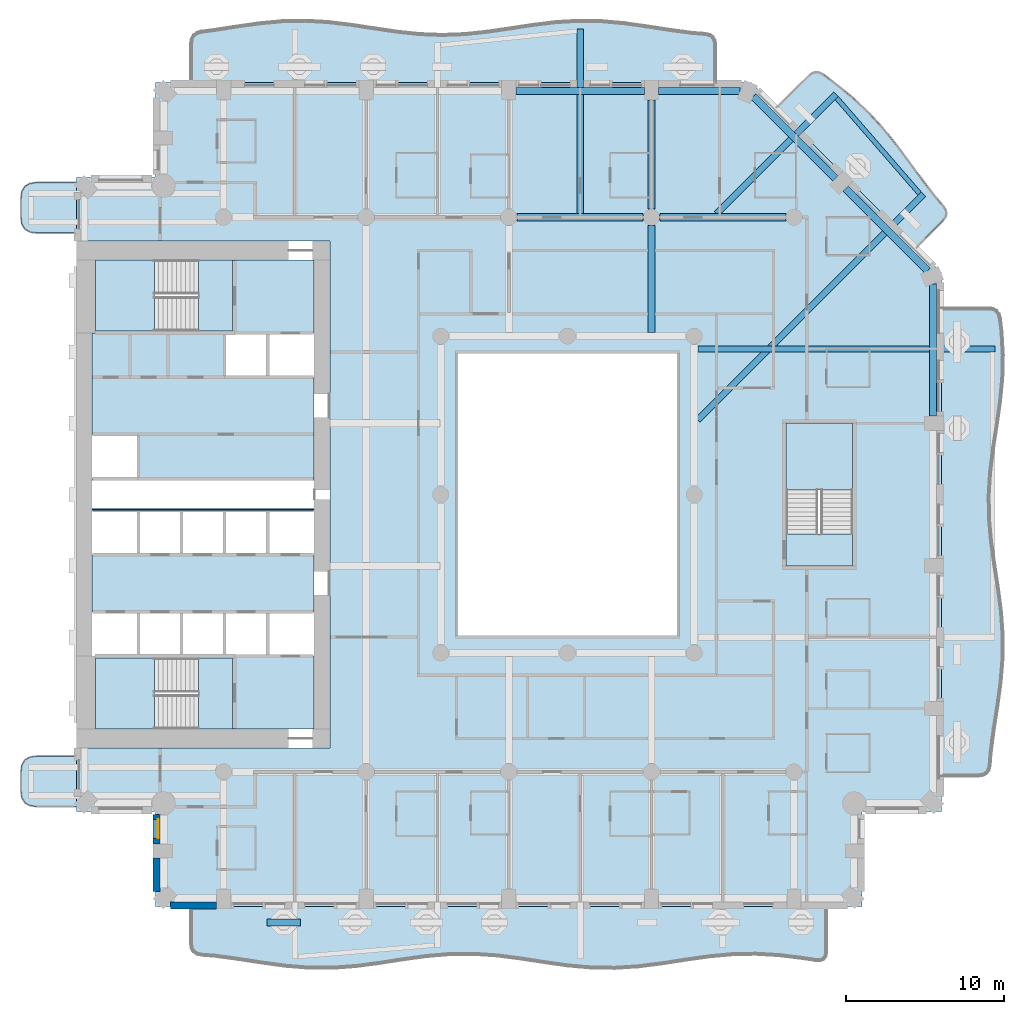
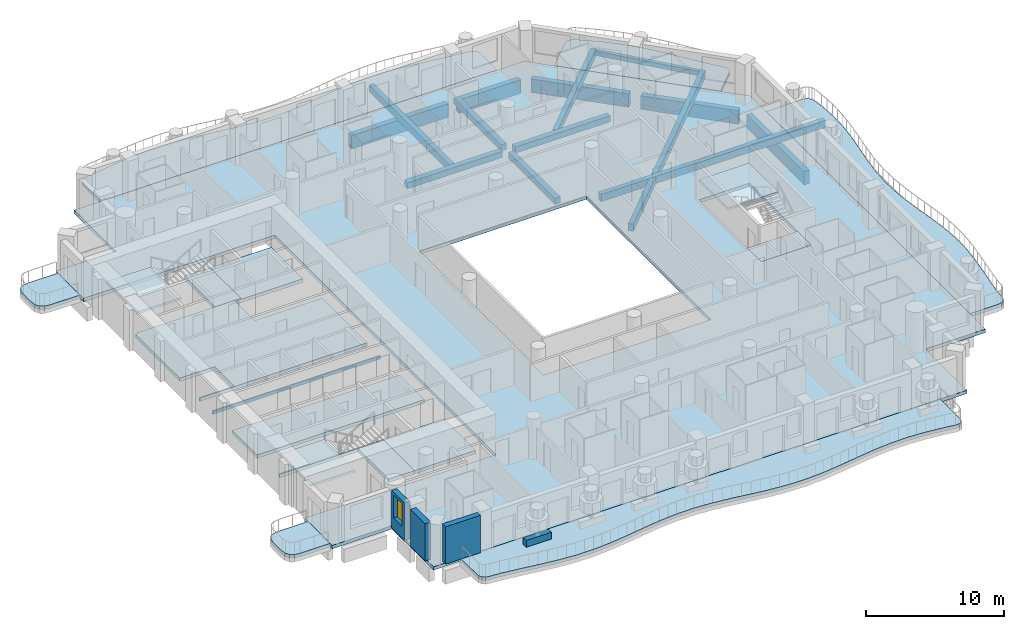
# One storey, part 2 of 20: 17 slabs, 14 beams, 4 walls, 1 window, 1 opening, 3 elements without a shape of their own.
"""IFC4 building model written with IfcOpenShell, lengths in metres."""

from ifc_helpers import new_model, si_unit, direction, frame, frame_2d, origin, origin_2d, place, context, subcontext, project, spatial, polyline, rectangle, outline, extrude, material, layer, layer_set, material_profile, profile_set, type_object, element, fill, aggregate, save


model = new_model("IFC4")

# Units and contexts
model_context = context("Model", 3, precision=1e-05, world=origin(), true_north=direction((0.0, 1.0)))
body_context = subcontext(model_context, "Body", "Model", "MODEL_VIEW")
ifc_project = project(units=[si_unit("LENGTHUNIT", "METRE"), si_unit("AREAUNIT", "SQUARE_METRE"), si_unit("VOLUMEUNIT", "CUBIC_METRE"), si_unit("PLANEANGLEUNIT", "RADIAN"), si_unit("MASSUNIT", "GRAM", prefix="KILO")], contexts=[model_context])

# Site, building, storey
site_placement = place(None, origin())
site = spatial("IfcSite", under=ifc_project, at=site_placement, CompositionType="ELEMENT")
building_placement = place(site_placement, origin())
building = spatial("IfcBuilding", under=site, at=building_placement, Name="Cypress Arch Tower", CompositionType="ELEMENT")
storey_placement = place(building_placement, frame((0.0, 0.0, 109.5)))
storey = spatial("IfcBuildingStorey", under=building, at=storey_placement, Name="L22", CompositionType="ELEMENT", Elevation=109.5)

# Beams
ifc_material_1 = material(Name="Concrete C50/60", Category="concrete")
ifc_material_profile_1 = material_profile(ifc_material_1, rectangle(XDim=0.300048828125, YDim=0.39990234375, at=origin_2d()), Name="RC 300x400")
ifc_profile_set_1 = profile_set([ifc_material_profile_1], Name="Concrete C50/60")
beam_type_1 = type_object("IfcBeamType", Name="Balcony edge beam RC 300x400 Concrete C50/60", PredefinedType="BEAM", material=ifc_profile_set_1)
beam_1_placement = place(storey_placement, frame((23.22216796875, 18.992919921875, -0.5), z_axis=(-0.655597619105, 0.755110430218, 0.0), x_axis=(-0.755110430218, -0.655597619105, 0.0)))
element("IfcBeam", 1, at=beam_1_placement, inside=storey, type_object=beam_type_1, Name="Balcony edge beam L22 A07", PredefinedType="BEAM", context=body_context, shape_type="SweptSolid", body=[
    extrude(rectangle(XDim=0.300048828125, YDim=0.39990234375, at=origin_2d()), origin(), (0.0, 0.0, 1.0), 7.980712890625),
])
ifc_material_2 = material(Name="Concrete C50/60", Category="concrete")
ifc_material_profile_2 = material_profile(ifc_material_2, rectangle(XDim=0.39990234375, YDim=0.64990234375, at=origin_2d()), Name="RC 400x650")
ifc_profile_set_2 = profile_set([ifc_material_profile_2], Name="Concrete C50/60")
beam_type_2 = type_object("IfcBeamType", Name="Cantilever beam RC 400x650 Concrete C50/60", PredefinedType="BEAM", material=ifc_profile_set_2)
beam_2_placement = place(storey_placement, frame((9.22509765625, 9.18798828125, -0.625), z_axis=(1.0, 0.0, 0.0), x_axis=(0.0, 1.0, 0.0)))
element("IfcBeam", 2, at=beam_2_placement, inside=storey, type_object=beam_type_2, Name="Cantilever beam L22 A06 2", PredefinedType="BEAM", context=body_context, shape_type="SweptSolid", body=[
    extrude(rectangle(XDim=0.39990234375, YDim=0.64990234375, at=origin_2d()), origin(), (0.0, 0.0, 1.0), 18.7509765625),
])
beam_3_placement = place(storey_placement, frame((9.22509765625, 4.712890625, -0.625), z_axis=(0.707106781187, 0.707106781187, 0.0), x_axis=(-0.707106781187, 0.707106781187, 0.0)))
element("IfcBeam", 3, at=beam_3_placement, inside=storey, type_object=beam_type_2, Name="Cantilever beam L22 A07 1", PredefinedType="BEAM", context=body_context, shape_type="SweptSolid", body=[
    extrude(rectangle(XDim=0.39990234375, YDim=0.64990234375, at=origin_2d()), origin(), (0.0, 0.0, 1.0), 20.14501953125),
])
beam_4_placement = place(storey_placement, frame((10.412841796875, 17.72509765625, -0.625), z_axis=(0.707106781187, 0.707106781187, 0.0), x_axis=(-0.707106781187, 0.707106781187, 0.0)))
element("IfcBeam", 4, at=beam_4_placement, inside=storey, type_object=beam_type_2, Name="Cantilever beam L22 A07 2", PredefinedType="BEAM", context=body_context, shape_type="SweptSolid", body=[
    extrude(rectangle(XDim=0.39990234375, YDim=0.64990234375, at=origin_2d()), origin(), (0.0, 0.0, 1.0), 10.66552734375),
])
beam_5_placement = place(storey_placement, frame((1.800048828125, 17.72509765625, -0.625), z_axis=(0.0, 1.0, 0.0), x_axis=(-1.0, 0.0, 0.0)))
element("IfcBeam", 5, at=beam_5_placement, inside=storey, type_object=beam_type_2, Name="Cantilever beam L22 A08 1", PredefinedType="BEAM", context=body_context, shape_type="SweptSolid", body=[
    extrude(rectangle(XDim=0.39990234375, YDim=0.64990234375, at=origin_2d()), origin(), (0.0, 0.0, 1.0), 11.66943359375),
])
ifc_material_3 = material(Name="Concrete C50/60", Category="concrete")
ifc_material_profile_3 = material_profile(ifc_material_3, rectangle(XDim=0.449951171875, YDim=0.550048828125, at=origin_2d()), Name="RC 450x550")
ifc_profile_set_3 = profile_set([ifc_material_profile_3], Name="Concrete C50/60")
beam_type_3 = type_object("IfcBeamType", Name="Floor beam RC 450x550 Concrete C50/60", PredefinedType="BEAM", material=ifc_profile_set_3)
for number, where, z_axis, x_axis, name in (
    (6, (-2.175048828125, 17.5, -0.574951171875), (1.0, 0.0, 0.0), (0.0, 1.0, 0.0), "Floor beam L22 FB017"),
    (7, (6.824951171875, 17.5, -0.574951171875), (1.0, 0.0, 0.0), (0.0, 1.0, 0.0), "Floor beam L22 FB018"),
):
    element("IfcBeam", number, at=place(storey_placement, frame(where, z_axis=z_axis, x_axis=x_axis)), inside=storey, type_object=beam_type_3, Name=name, PredefinedType="BEAM", context=body_context, shape_type="SweptSolid", body=[
        extrude(rectangle(XDim=0.449951171875, YDim=0.550048828125, at=origin_2d()), origin(), (0.0, 0.0, 1.0), 7.949951171875),
    ])
beam_6_placement = place(storey_placement, frame((6.300048828125, 10.22509765625, -0.574951171875), z_axis=(0.0, 1.0, 0.0), x_axis=(-1.0, 0.0, 0.0)))
element("IfcBeam", 8, at=beam_6_placement, inside=storey, type_object=beam_type_3, Name="Floor beam L22 FB032", PredefinedType="BEAM", context=body_context, shape_type="SweptSolid", body=[
    extrude(rectangle(XDim=0.449951171875, YDim=0.550048828125, at=origin_2d()), origin(), (0.0, 0.0, 1.0), 6.75),
])
beam_7_placement = place(storey_placement, frame((6.300048828125, 18.02490234375, -0.574951171875), z_axis=(0.0, 1.0, 0.0), x_axis=(-1.0, 0.0, 0.0)))
element("IfcBeam", 9, at=beam_7_placement, inside=storey, type_object=beam_type_3, Name="Floor beam L22 FB033", PredefinedType="BEAM", context=body_context, shape_type="SweptSolid", body=[
    extrude(rectangle(XDim=0.449951171875, YDim=0.550048828125, at=origin_2d()), origin(), (0.0, 0.0, 1.0), 6.875),
])
ifc_material_4 = material(Name="Concrete C50/60", Category="concrete")
ifc_material_profile_4 = material_profile(ifc_material_4, rectangle(XDim=0.449951171875, YDim=1.199951171875, at=origin_2d()), Name="RC 450x1200")
ifc_profile_set_4 = profile_set([ifc_material_profile_4], Name="Concrete C50/60")
beam_type_4 = type_object("IfcBeamType", Name="Spandrel beam RC 450x1200 Concrete C50/60", PredefinedType="SPANDREL", material=ifc_profile_set_4)
beam_8_placement = place(storey_placement, frame((24.074951171875, 4.949951171875, -1.550048828125), z_axis=(0.0, 1.0, 0.0), x_axis=(-1.0, 0.0, 0.0)))
element("IfcBeam", 10, at=beam_8_placement, inside=storey, type_object=beam_type_4, Name="Spandrel beam L22 BA06-3", PredefinedType="SPANDREL", context=body_context, shape_type="SweptSolid", body=[
    extrude(rectangle(XDim=0.449951171875, YDim=1.199951171875, at=origin_2d()), origin(), (0.0, 0.0, 1.0), 8.345458984375),
])
for number, where, z_axis, x_axis, name in (
    (11, (23.73046875, 14.126953125, -1.550048828125), (-0.707106781187, 0.707106781187, 0.0), (-0.707106781187, -0.707106781187, 0.0), "Spandrel beam L22 BA07-0"),
    (12, (17.91064453125, 19.947021484375, -1.550048828125), (-0.707106781187, 0.707106781187, 0.0), (-0.707106781187, -0.707106781187, 0.0), "Spandrel beam L22 BA07-1"),
):
    element("IfcBeam", number, at=place(storey_placement, frame(where, z_axis=z_axis, x_axis=x_axis)), inside=storey, type_object=beam_type_4, Name=name, PredefinedType="SPANDREL", context=body_context, shape_type="SweptSolid", body=[
        extrude(rectangle(XDim=0.449951171875, YDim=1.199951171875, at=origin_2d()), origin(), (0.0, 0.0, 1.0), 7.330810546875),
    ])
beam_9_placement = place(storey_placement, frame((11.8955078125, 25.47509765625, -1.550048828125), z_axis=(-1.0, 0.0, 0.0), x_axis=(0.0, -1.0, 0.0)))
element("IfcBeam", 13, at=beam_9_placement, inside=storey, type_object=beam_type_4, Name="Spandrel beam L22 BA08-0", PredefinedType="SPANDREL", context=body_context, shape_type="SweptSolid", body=[
    extrude(rectangle(XDim=0.449951171875, YDim=1.199951171875, at=origin_2d()), origin(), (0.0, 0.0, 1.0), 5.1455078125),
])
beam_10_placement = place(storey_placement, frame((5.85009765625, 25.47509765625, -1.550048828125), z_axis=(-1.0, 0.0, 0.0), x_axis=(0.0, -1.0, 0.0)))
element("IfcBeam", 14, at=beam_10_placement, inside=storey, type_object=beam_type_4, Name="Spandrel beam L22 BA08-1", PredefinedType="SPANDREL", context=body_context, shape_type="SweptSolid", body=[
    extrude(rectangle(XDim=0.449951171875, YDim=1.199951171875, at=origin_2d()), origin(), (0.0, 0.0, 1.0), 8.10009765625),
])

# Slabs
ifc_material_5 = material(Name="Concrete C40/50", Category="concrete")
ifc_layer_1 = layer(ifc_material_5, 0.300048828125)
ifc_layer_set_1 = layer_set([ifc_layer_1], Name="Balcony slab BS300")
slab_type_1 = type_object("IfcSlabType", Name="Balcony slab BS300", PredefinedType="USERDEFINED", material=ifc_layer_set_1)
slab_1_placement = place(storey_placement, frame((0.0, 0.0, -0.300048828125)))
element("IfcSlab", 15, at=slab_1_placement, inside=storey, type_object=slab_type_1, Name="Balcony slab L22-A00W0", ObjectType="BALCONY SLAB", PredefinedType="USERDEFINED", context=body_context, shape_type="SweptSolid", body=[
    extrude(outline(polyline([(-30.0, 19.699951171875), (-32.5, 19.699951171875), (-32.9375, 19.637451171875), (-33.25, 19.449951171875), (-33.4375, 19.137451171875), (-33.5, 18.699951171875), (-33.5, 17.5), (-33.4375, 17.0625), (-33.25, 16.75), (-32.9375, 16.5625), (-32.5, 16.5), (-30.0, 16.5), (-30.0, 19.699951171875)])), origin(), (0.0, 0.0, 1.0), 0.300048828125),
])
slab_2_placement = place(storey_placement, frame((0.0, 0.0, -0.300048828125)))
element("IfcSlab", 16, at=slab_2_placement, inside=storey, type_object=slab_type_1, Name="Balcony slab L22-A00W1", ObjectType="BALCONY SLAB", PredefinedType="USERDEFINED", context=body_context, shape_type="SweptSolid", body=[
    extrude(outline(polyline([(-30.0, -16.5), (-32.5, -16.5), (-32.9375, -16.5625), (-33.25, -16.75), (-33.4375, -17.0625), (-33.5, -17.5), (-33.5, -18.699951171875), (-33.4375, -19.137451171875), (-33.25, -19.449951171875), (-32.9375, -19.637451171875), (-32.5, -19.699951171875), (-30.0, -19.699951171875), (-30.0, -16.5)])), origin(), (0.0, 0.0, 1.0), 0.300048828125),
])
slab_3_placement = place(storey_placement, frame((0.0, 0.0, -0.300048828125)))
element("IfcSlab", 17, at=slab_3_placement, inside=storey, type_object=slab_type_1, Name="Balcony slab L22-A03", ObjectType="BALCONY SLAB", PredefinedType="USERDEFINED", context=body_context, shape_type="SweptSolid", body=[
    extrude(outline(polyline([(-22.75, -26.0), (-22.75, -28.344970703125), (-22.708251953125, -28.6416015625), (-22.5830078125, -28.860595703125), (-22.3740234375, -29.00244140625), (-22.081787109375, -29.06689453125), (-21.264892578125, -29.130126953125), (-19.779541015625, -29.3291015625), (-18.29443359375, -29.559814453125), (-16.809326171875, -29.761474609375), (-15.323974609375, -29.881591796875), (-13.8388671875, -29.88818359375), (-12.353759765625, -29.779541015625), (-10.868408203125, -29.584228515625), (-9.38330078125, -29.353759765625), (-7.898193359375, -29.148681640625), (-6.412841796875, -29.022705078125), (-4.927734375, -29.009033203125), (-3.442626953125, -29.111083984375), (-1.95751953125, -29.302490234375), (-0.47216796875, -29.532470703125), (1.012939453125, -29.74072265625), (2.498046875, -29.872802734375), (3.9833984375, -29.8935546875), (5.468505859375, -29.7978515625), (6.95361328125, -29.61083984375), (8.43896484375, -29.38134765625), (9.924072265625, -29.169921875), (11.4091796875, -29.0322265625), (12.89453125, -29.004150390625), (14.379638671875, -29.093505859375), (15.86474609375, -29.2763671875), (16.681640625, -29.402099609375), (16.97412109375, -29.40478515625), (17.182861328125, -29.31005859375), (17.308349609375, -29.1181640625), (17.35009765625, -28.82861328125), (17.35009765625, -26.0), (-22.75, -26.0)])), origin(), (0.0, 0.0, 1.0), 0.300048828125),
])
slab_4_placement = place(storey_placement, frame((0.0, 0.0, -0.300048828125)))
element("IfcSlab", 18, at=slab_4_placement, inside=storey, type_object=slab_type_1, Name="Balcony slab L22-A06", ObjectType="BALCONY SLAB", PredefinedType="USERDEFINED", context=body_context, shape_type="SweptSolid", body=[
    extrude(outline(polyline([(24.60009765625, -17.75), (26.94970703125, -17.75), (27.244140625, -17.70849609375), (27.461669921875, -17.583984375), (27.6025390625, -17.376708984375), (27.66650390625, -17.086181640625), (27.72900390625, -16.27490234375), (27.926025390625, -14.800048828125), (28.155029296875, -13.324951171875), (28.35693359375, -11.85009765625), (28.479248046875, -10.375), (28.490234375, -8.89990234375), (28.386962890625, -7.425048828125), (28.196533203125, -5.949951171875), (27.968017578125, -4.47509765625), (27.7607421875, -3.0), (27.62841796875, -1.52490234375), (27.60546875, -0.050048828125), (27.69775390625, 1.425048828125), (27.88134765625, 2.89990234375), (28.108642578125, 4.375), (28.32080078125, 5.85009765625), (28.462646484375, 7.324951171875), (28.49755859375, 8.800048828125), (28.416259765625, 10.27490234375), (28.3193359375, 11.086181640625), (28.242919921875, 11.376708984375), (28.0927734375, 11.583984375), (27.869140625, 11.70849609375), (27.57177734375, 11.75), (24.60009765625, 11.75), (24.60009765625, -17.75)])), origin(), (0.0, 0.0, 1.0), 0.300048828125),
])
slab_5_placement = place(storey_placement, frame((0.0, 0.0, -0.300048828125)))
element("IfcSlab", 19, at=slab_5_placement, inside=storey, type_object=slab_type_1, Name="Balcony slab L22-A07", ObjectType="BALCONY SLAB", PredefinedType="USERDEFINED", context=body_context, shape_type="SweptSolid", body=[
    extrude(outline(polyline([(23.009033203125, 15.591064453125), (24.698974609375, 17.281005859375), (24.866943359375, 17.504150390625), (24.9287109375, 17.731201171875), (24.884033203125, 17.962158203125), (24.7333984375, 18.197265625), (24.23486328125, 18.7763671875), (23.38232421875, 19.883544921875), (22.55419921875, 21.014892578125), (21.7158203125, 22.135986328125), (20.83447265625, 23.21435546875), (19.887939453125, 24.227294921875), (18.868408203125, 25.167236328125), (17.784912109375, 26.04345703125), (17.1669921875, 26.503173828125), (16.91796875, 26.64013671875), (16.676513671875, 26.674072265625), (16.4423828125, 26.605224609375), (16.2158203125, 26.433837890625), (14.19091796875, 24.408935546875), (23.009033203125, 15.591064453125)])), origin(), (0.0, 0.0, 1.0), 0.300048828125),
])
slab_6_placement = place(storey_placement, frame((0.0, 0.0, -0.300048828125)))
element("IfcSlab", 20, at=slab_6_placement, inside=storey, type_object=slab_type_1, Name="Balcony slab L22-A08", ObjectType="BALCONY SLAB", PredefinedType="USERDEFINED", context=body_context, shape_type="SweptSolid", body=[
    extrude(outline(polyline([(10.35009765625, 26.0), (10.35009765625, 28.36572265625), (10.3095703125, 28.653076171875), (10.18798828125, 28.865234375), (9.98583984375, 29.00244140625), (9.702392578125, 29.064697265625), (8.910888671875, 29.125), (7.4716796875, 29.315185546875), (6.03271484375, 29.53857421875), (4.593505859375, 29.739990234375), (3.154296875, 29.869873046875), (1.71533203125, 29.89599609375), (0.276123046875, 29.811767578125), (-1.1630859375, 29.638427734375), (-2.602294921875, 29.418212890625), (-4.041259765625, 29.2060546875), (-5.48046875, 29.05419921875), (-6.919677734375, 29.0), (-8.358642578125, 29.05712890625), (-9.7978515625, 29.211181640625), (-11.237060546875, 29.42431640625), (-12.676025390625, 29.643798828125), (-14.115234375, 29.8154296875), (-15.554443359375, 29.896728515625), (-16.993408203125, 29.86767578125), (-18.4326171875, 29.7353515625), (-19.871826171875, 29.532470703125), (-21.310791015625, 29.309326171875), (-22.102294921875, 29.20556640625), (-22.3857421875, 29.127685546875), (-22.588134765625, 28.978759765625), (-22.70947265625, 28.7587890625), (-22.75, 28.4677734375), (-22.75, 26.0), (10.35009765625, 26.0)])), origin(), (0.0, 0.0, 1.0), 0.300048828125),
])
ifc_material_6 = material(Name="Concrete C40/50", Category="concrete")
ifc_layer_2 = layer(ifc_material_6, 0.300048828125)
ifc_layer_set_2 = layer_set([ifc_layer_2], Name="Core floor CF300")
slab_type_2 = type_object("IfcSlabType", Name="Core floor CF300", PredefinedType="FLOOR", material=ifc_layer_set_2)
slab_7_placement = place(storey_placement, frame((0.0, 0.0, -0.300048828125)))
element("IfcSlab", 21, at=slab_7_placement, inside=storey, type_object=slab_type_2, Name="Core floor", PredefinedType="FLOOR", context=body_context, shape_type="SweptSolid", body=[
    extrude(outline(polyline([(-20.125, -14.800048828125), (-15.0, -14.800048828125), (-15.0, -10.199951171875), (-17.919921875, -10.199951171875), (-20.639892578125, -10.199951171875), (-23.360107421875, -10.199951171875), (-26.080078125, -10.199951171875), (-28.800048828125, -10.199951171875), (-28.800048828125, -10.324951171875), (-22.27490234375, -10.324951171875), (-20.125, -10.324951171875), (-20.125, -14.800048828125)])), origin(), (0.0, 0.0, 1.0), 0.300048828125),
])
slab_8_placement = place(storey_placement, frame((0.0, 0.0, -0.300048828125)))
element("IfcSlab", 22, at=slab_8_placement, inside=storey, type_object=slab_type_2, Name="Core floor", PredefinedType="FLOOR", context=body_context, shape_type="SweptSolid", body=[
    extrude(outline(polyline([(-29.0, -3.800048828125), (-29.0, -7.39990234375), (-26.080078125, -7.39990234375), (-23.360107421875, -7.39990234375), (-20.639892578125, -7.39990234375), (-17.919921875, -7.39990234375), (-15.0, -7.39990234375), (-15.0, -3.800048828125), (-17.919921875, -3.800048828125), (-20.639892578125, -3.800048828125), (-23.360107421875, -3.800048828125), (-26.080078125, -3.800048828125), (-29.0, -3.800048828125)])), origin(), (0.0, 0.0, 1.0), 0.300048828125),
])
slab_9_placement = place(storey_placement, frame((0.0, 0.0, -0.300048828125)))
element("IfcSlab", 23, at=slab_9_placement, inside=storey, type_object=slab_type_2, Name="Core floor", PredefinedType="FLOOR", context=body_context, shape_type="SweptSolid", body=[
    extrude(outline(polyline([(-29.0, 3.800048828125), (-29.0, 10.199951171875), (-28.800048828125, 10.199951171875), (-28.800048828125, 10.324951171875), (-28.60009765625, 10.324951171875), (-22.27490234375, 10.324951171875), (-20.125, 10.324951171875), (-20.125, 14.800048828125), (-15.39990234375, 14.800048828125), (-15.0, 14.800048828125), (-15.0, 10.199951171875), (-15.39990234375, 10.199951171875), (-17.919921875, 10.199951171875), (-20.639892578125, 10.199951171875), (-20.639892578125, 7.39990234375), (-17.919921875, 7.39990234375), (-15.39990234375, 7.39990234375), (-15.0, 7.39990234375), (-15.0, 0.89990234375), (-28.60009765625, 0.89990234375), (-29.0, 0.89990234375), (-29.0, 1.0), (-28.60009765625, 1.0), (-26.080078125, 1.0), (-26.080078125, 3.800048828125), (-28.60009765625, 3.800048828125), (-29.0, 3.800048828125)])), origin(), (0.0, 0.0, 1.0), 0.300048828125),
])
slab_10_placement = place(storey_placement, frame((0.0, 0.0, -0.300048828125)))
element("IfcSlab", 24, at=slab_10_placement, inside=storey, type_object=slab_type_2, Name="Core floor", PredefinedType="FLOOR", context=body_context, shape_type="SweptSolid", body=[
    extrude(outline(polyline([(-22.27490234375, -10.324951171875), (-22.27490234375, -14.800048828125), (-20.125, -14.800048828125), (-20.125, -10.324951171875), (-22.27490234375, -10.324951171875)])), origin(), (0.0, 0.0, 1.0), 0.300048828125),
])
slab_11_placement = place(storey_placement, frame((0.0, 0.0, -0.300048828125)))
element("IfcSlab", 25, at=slab_11_placement, inside=storey, type_object=slab_type_2, Name="Core floor", PredefinedType="FLOOR", context=body_context, shape_type="SweptSolid", body=[
    extrude(outline(polyline([(-20.125, 14.800048828125), (-22.27490234375, 14.800048828125), (-22.27490234375, 10.324951171875), (-20.125, 10.324951171875), (-20.125, 14.800048828125)])), origin(), (0.0, 0.0, 1.0), 0.300048828125),
])
slab_12_placement = place(storey_placement, frame((0.0, 0.0, -0.300048828125)))
element("IfcSlab", 26, at=slab_12_placement, inside=storey, type_object=slab_type_2, Name="Stair floor landing", PredefinedType="FLOOR", context=body_context, shape_type="SweptSolid", body=[
    extrude(outline(polyline([(19.0, -4.5), (19.0, -2.5), (14.800048828125, -2.5), (14.800048828125, -4.5), (19.0, -4.5)])), origin(), (0.0, 0.0, 1.0), 0.300048828125),
])
slab_13_placement = place(storey_placement, frame((0.0, 0.0, -0.300048828125)))
element("IfcSlab", 27, at=slab_13_placement, inside=storey, type_object=slab_type_2, Name="Core floor", PredefinedType="FLOOR", context=body_context, shape_type="SweptSolid", body=[
    extrude(outline(polyline([(-20.639892578125, -1.0), (-23.360107421875, -1.0), (-26.080078125, -1.0), (-28.60009765625, -1.0), (-29.0, -1.0), (-29.0, -0.89990234375), (-28.60009765625, -0.89990234375), (-15.39990234375, -0.89990234375), (-15.0, -0.89990234375), (-15.0, -1.0), (-15.39990234375, -1.0), (-17.919921875, -1.0), (-20.639892578125, -1.0)])), origin(), (0.0, 0.0, 1.0), 0.300048828125),
])
ifc_material_7 = material(Name="Concrete C40/50", Category="concrete")
ifc_layer_3 = layer(ifc_material_7, 0.300048828125)
ifc_layer_set_3 = layer_set([ifc_layer_3], Name="PT flat slab 300 Concrete C40/50")
slab_type_3 = type_object("IfcSlabType", Name="PT flat slab 300 Concrete C40/50", PredefinedType="FLOOR", material=ifc_layer_set_3)
slab_14_placement = place(storey_placement, frame((0.0, 0.0, -0.300048828125)))
element("IfcSlab", 28, at=slab_14_placement, inside=storey, type_object=slab_type_3, Name="Floor slab L22", PredefinedType="FLOOR", context=body_context, shape_type="SweptSolid", body=[
    extrude(outline(polyline([(-30.0, 20.0), (-25.0, 20.0), (-25.0, 26.0), (12.60009765625, 26.0), (24.60009765625, 14.0), (24.60009765625, -20.0), (19.60009765625, -20.0), (19.60009765625, -26.0), (-25.0, -26.0), (-25.0, -20.0), (-30.0, -20.0), (-30.0, -16.0), (-14.0, -16.0), (-14.0, 16.0), (-30.0, 16.0), (-30.0, 20.0)]), holes=[polyline([(-6.0, -9.0), (8.0, -9.0), (8.0, 9.0), (-6.0, 9.0), (-6.0, -9.0)]), polyline([(14.800048828125, -4.5), (19.0, -4.5), (19.0, 4.5), (14.800048828125, 4.5), (14.800048828125, -4.5)])]), origin(), (0.0, 0.0, 1.0), 0.300048828125),
])

# Stair, slab
ifc_material_8 = material(Name="Concrete C40/50", Category="concrete")
stair_type_1 = type_object("IfcStairType", Name="Exit stair ES1636-215", PredefinedType="HALF_TURN_STAIR", material=ifc_material_8)
stair_1_placement = place(storey_placement, origin())
stair_1 = element("IfcStair", 29, at=stair_1_placement, inside=storey, type_object=stair_type_1, Name="L22 Exit stair A", PredefinedType="HALF_TURN_STAIR")
ifc_material_9 = material(Name="Concrete C40/50", Category="concrete")
ifc_layer_4 = layer(ifc_material_9, 0.199951171875)
ifc_layer_set_4 = layer_set([ifc_layer_4], Name="Stair landing SL200")
slab_type_4 = type_object("IfcSlabType", Name="Stair landing SL200", PredefinedType="LANDING", material=ifc_layer_set_4)
slab_15_placement = place(storey_placement, frame((0.0, 0.0, 1.60009765625)))
slab_15 = element("IfcSlab", 30, at=slab_15_placement, type_object=slab_type_4, Name="A landing 1", PredefinedType="LANDING", context=body_context, shape_type="SweptSolid", body=[
    extrude(outline(polyline([(-25.074951171875, -10.324951171875), (-28.800048828125, -10.324951171875), (-28.800048828125, -14.800048828125), (-25.074951171875, -14.800048828125), (-25.074951171875, -10.324951171875)])), origin(), (0.0, 0.0, 1.0), 0.199951171875),
])
aggregate(stair_1, [slab_15])

stair_2_placement = place(storey_placement, origin())
stair_2 = element("IfcStair", 31, at=stair_2_placement, inside=storey, type_object=stair_type_1, Name="L22 Exit stair B", PredefinedType="HALF_TURN_STAIR")
slab_16_placement = place(storey_placement, frame((0.0, 0.0, 1.60009765625)))
slab_16 = element("IfcSlab", 32, at=slab_16_placement, type_object=slab_type_4, Name="B landing 1", PredefinedType="LANDING", context=body_context, shape_type="SweptSolid", body=[
    extrude(outline(polyline([(-25.074951171875, 14.800048828125), (-28.800048828125, 14.800048828125), (-28.800048828125, 10.324951171875), (-25.074951171875, 10.324951171875), (-25.074951171875, 14.800048828125)])), origin(), (0.0, 0.0, 1.0), 0.199951171875),
])
aggregate(stair_2, [slab_16])

ifc_material_10 = material(Name="Concrete C40/50", Category="concrete")
stair_type_2 = type_object("IfcStairType", Name="Exit stair ES1636-200", PredefinedType="HALF_TURN_STAIR", material=ifc_material_10)
stair_3_placement = place(storey_placement, origin())
stair_3 = element("IfcStair", 33, at=stair_3_placement, inside=storey, type_object=stair_type_2, Name="L22 Exit stair C", PredefinedType="HALF_TURN_STAIR")
slab_17_placement = place(storey_placement, frame((0.0, 0.0, 1.60009765625)))
slab_17 = element("IfcSlab", 34, at=slab_17_placement, type_object=slab_type_4, Name="C landing 1", PredefinedType="LANDING", context=body_context, shape_type="SweptSolid", body=[
    extrude(outline(polyline([(19.0, 0.300048828125), (19.0, 4.5), (14.800048828125, 4.5), (14.800048828125, 0.300048828125), (19.0, 0.300048828125)])), origin(), (0.0, 0.0, 1.0), 0.199951171875),
])
aggregate(stair_3, [slab_17])

# Wall
ifc_material_11 = material(Name="Concrete C40/50, waterproofed", Category="concrete")
ifc_layer_5 = layer(ifc_material_11, 0.449951171875)
ifc_layer_set_5 = layer_set([ifc_layer_5], Name="Balcony planter wall PW450")
wall_type_1 = type_object("IfcWallType", Name="Balcony planter wall PW450", PredefinedType="SOLIDWALL", material=ifc_layer_set_5)
wall_1_placement = place(storey_placement, frame((-17.949951171875, -27.0, 0.0), z_axis=(0.0, 0.0, 1.0), x_axis=(1.0, 0.0, 0.0)))
element("IfcWall", 35, at=wall_1_placement, inside=storey, type_object=wall_type_1, Name="Balcony planter wall L22-A03.1", PredefinedType="SOLIDWALL", context=body_context, shape_type="SweptSolid", body=[
    extrude(rectangle(XDim=2.099853515625, YDim=0.449951171875, at=frame_2d((1.0498046875, 0.0))), origin(), (0.0, 0.0, 1.0), 0.60009765625),
])

# Wall, opening, window
ifc_material_12 = material(Name="Brick (red buff blend)", Category="masonry")
ifc_layer_6 = layer(ifc_material_12, 0.449951171875)
ifc_layer_set_6 = layer_set([ifc_layer_6], Name="Brick pier and spandrel wall BW450")
wall_type_2 = type_object("IfcWallType", Name="Brick pier and spandrel wall BW450", PredefinedType="SOLIDWALL", material=ifc_layer_set_6)
wall_2_placement = place(storey_placement, frame((-24.925048828125, -20.20703125, 0.0), z_axis=(0.0, 0.0, 1.0), x_axis=(0.0, -1.0, 0.0)))
wall_2 = element("IfcWall", 36, at=wall_2_placement, inside=storey, type_object=wall_type_2, Name="Brick wall L22 A02.0", PredefinedType="SOLIDWALL", context=body_context, shape_type="SweptSolid", body=[
    extrude(rectangle(XDim=1.843017578125, YDim=0.449951171875, at=frame_2d((0.92138671875, 0.0))), origin(), (0.0, 0.0, 1.0), 3.300048828125),
])
opening_placement = place(wall_2_placement, frame((0.29296875, 0.0, 1.050048828125)))
opening = element("IfcOpeningElement", 37, at=opening_placement, cuts=wall_2, Name="Opening W120H", PredefinedType="OPENING", context=body_context, shape_type="SweptSolid", body=[
    extrude(rectangle(XDim=1.199951171875, YDim=2.0, at=frame_2d((0.60009765625, 1.0))), frame((0.0, 0.23486328125, 0.0), z_axis=(0.0, -1.0, 0.0), x_axis=(1.0, 0.0, 0.0)), (0.0, 0.0, 1.0), 0.469970703125),
])
ifc_material_13 = material(Name="Anodised aluminium, bronze finish, clear low-emissivity double glazing", Category="aluminium")
window_type = type_object("IfcWindowType", Name="Window Hotel 1200x2000", PartitioningType="SINGLE_PANEL", PredefinedType="WINDOW", material=ifc_material_13)
window_placement = place(opening_placement, origin())
window = element("IfcWindow", 38, at=window_placement, inside=storey, type_object=window_type, Name="Window L22 A02.0.1", OverallHeight=2.0, OverallWidth=1.199951171875, PartitioningType="SINGLE_PANEL", PredefinedType="WINDOW", context=body_context, shape_type="SweptSolid", body=[
    extrude(rectangle(XDim=1.199951171875, YDim=2.0, at=frame_2d((0.60009765625, 1.0))), frame((0.0, 0.135009765625, 0.0), z_axis=(0.0, -1.0, 0.0), x_axis=(1.0, 0.0, 0.0)), (0.0, 0.0, 1.0), 0.06005859375),
])
fill(opening, window)

# Walls
wall_3_placement = place(storey_placement, frame((-24.925048828125, -22.949951171875, 0.0), z_axis=(0.0, 0.0, 1.0), x_axis=(0.0, -1.0, 0.0)))
element("IfcWall", 39, at=wall_3_placement, inside=storey, type_object=wall_type_2, Name="Brick wall L22 A02.1", PredefinedType="SOLIDWALL", context=body_context, shape_type="SweptSolid", body=[
    extrude(rectangle(XDim=2.11376953125, YDim=0.449951171875, at=frame_2d((1.056884765625, 0.0))), origin(), (0.0, 0.0, 1.0), 3.300048828125),
])
wall_4_placement = place(storey_placement, frame((-24.063720703125, -25.925048828125, 0.0), z_axis=(0.0, 0.0, 1.0), x_axis=(1.0, 0.0, 0.0)))
element("IfcWall", 40, at=wall_4_placement, inside=storey, type_object=wall_type_2, Name="Brick wall L22 A03.0", PredefinedType="SOLIDWALL", context=body_context, shape_type="SweptSolid", body=[
    extrude(rectangle(XDim=2.913818359375, YDim=0.449951171875, at=frame_2d((1.45703125, 0.0))), origin(), (0.0, 0.0, 1.0), 3.300048828125),
])

save(model, "model.ifc")
